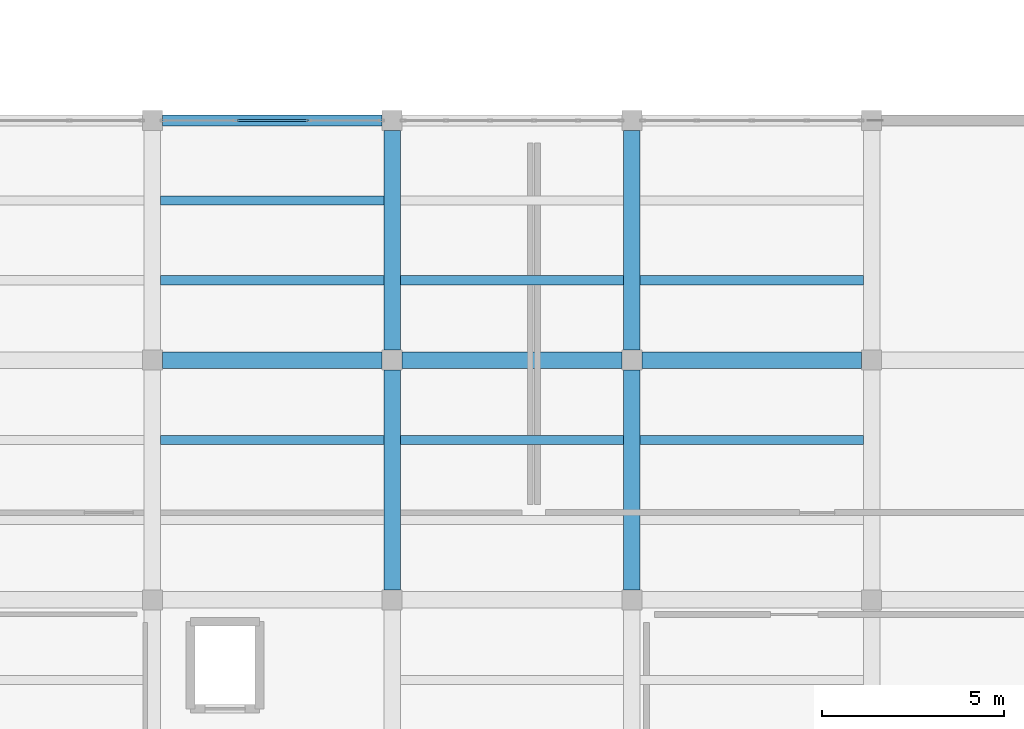
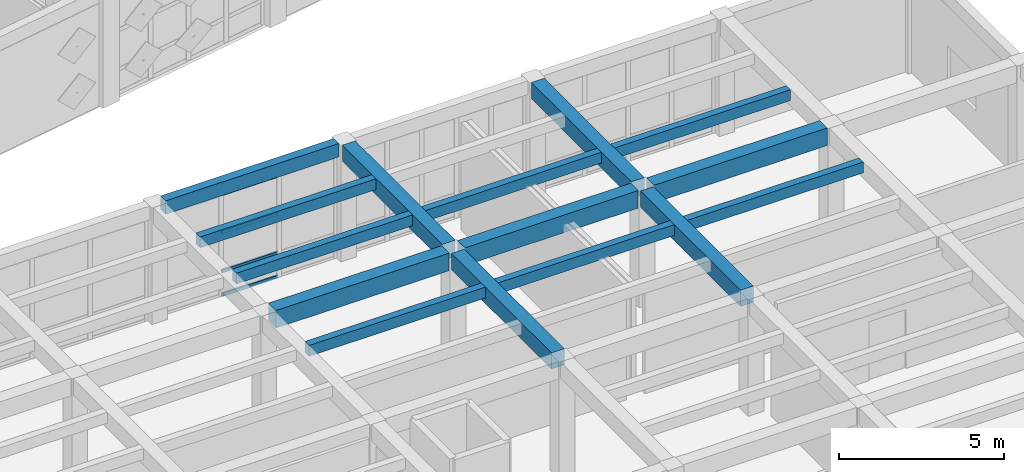
# One storey, part 6 of 48: 15 beams, 4 members, 1 element without a shape of its own.
"""IFC4 building model written with IfcOpenShell, lengths in metres."""

from ifc_helpers import new_model, si_unit, direction, frame, origin, origin_2d, place, context, subcontext, project, spatial, rectangle, hollow_rectangle, extrude, material, layer, layer_set, material_profile, profile_set, type_object, element, aggregate, save


model = new_model("IFC4")

# Units and contexts
model_context = context("Model", 3, precision=1e-05, world=origin(), true_north=direction((0.0, 1.0)))
body_context = subcontext(model_context, "Body", "Model", "MODEL_VIEW")
ifc_project = project(units=[si_unit("LENGTHUNIT", "METRE"), si_unit("AREAUNIT", "SQUARE_METRE"), si_unit("VOLUMEUNIT", "CUBIC_METRE"), si_unit("PLANEANGLEUNIT", "RADIAN"), si_unit("MASSUNIT", "GRAM", prefix="KILO")], contexts=[model_context])

# Site, building, storey
site_placement = place(None, origin())
site = spatial("IfcSite", under=ifc_project, at=site_placement, CompositionType="ELEMENT")
building_placement = place(site_placement, origin())
building = spatial("IfcBuilding", under=site, at=building_placement, Name="Kharisveld Research Institute", CompositionType="ELEMENT")
storey_placement = place(building_placement, frame((0.0, 0.0, 14.10009765625)))
storey = spatial("IfcBuildingStorey", under=building, at=storey_placement, Name="L03", CompositionType="ELEMENT", Elevation=14.10009765625)

# Beams
ifc_material_1 = material(Name="Concrete C40/50", Category="concrete")
ifc_material_profile_1 = material_profile(ifc_material_1, rectangle(XDim=0.449951171875, YDim=0.60009765625, at=origin_2d()))
ifc_profile_set_1 = profile_set([ifc_material_profile_1], Name="Concrete C40/50")
beam_type_1 = type_object("IfcBeamType", Name="BM_RC_450x600", PredefinedType="BEAM", material=ifc_profile_set_1)
for number, where, z_axis, x_axis, name in (
    (1, (20.39990234375, 13.675048828125, 4.0), (0.0, 1.0, 0.0), (-1.0, 0.0, 0.0), "BM:V3:L03:V3_2"),
    (2, (20.39990234375, 20.27490234375, 4.0), (0.0, 1.0, 0.0), (-1.0, 0.0, 0.0), "BM:V3:L03:V3_3"),
    (3, (27.0, 13.675048828125, 4.0), (0.0, 1.0, 0.0), (-1.0, 0.0, 0.0), "BM:V3:L03:V4_2"),
    (4, (27.0, 20.27490234375, 4.0), (0.0, 1.0, 0.0), (-1.0, 0.0, 0.0), "BM:V3:L03:V4_3"),
):
    element("IfcBeam", number, at=place(storey_placement, frame(where, z_axis=z_axis, x_axis=x_axis)), inside=storey, type_object=beam_type_1, Name=name, PredefinedType="BEAM", context=body_context, shape_type="SweptSolid", body=[
        extrude(rectangle(XDim=0.449951171875, YDim=0.60009765625, at=origin_2d()), origin(), (0.0, 0.0, 1.0), 6.050048828125),
    ])
ifc_material_2 = material(Name="Concrete C40/50", Category="concrete")
ifc_material_profile_2 = material_profile(ifc_material_2, rectangle(XDim=0.449951171875, YDim=0.64990234375, at=origin_2d()))
ifc_profile_set_2 = profile_set([ifc_material_profile_2], Name="Concrete C40/50")
beam_type_2 = type_object("IfcBeamType", Name="BM_RC_450x650", PredefinedType="BEAM", material=ifc_profile_set_2)
for number, where, z_axis, x_axis, name in (
    (5, (14.074951171875, 20.0, 3.974853515625), (1.0, 0.0, 0.0), (0.0, 1.0, 0.0), "BM:V3:L03:U2_3"),
    (6, (20.675048828125, 20.0, 3.974853515625), (1.0, 0.0, 0.0), (0.0, 1.0, 0.0), "BM:V3:L03:U3_3"),
    (7, (27.27490234375, 20.0, 3.974853515625), (1.0, 0.0, 0.0), (0.0, 1.0, 0.0), "BM:V3:L03:U4_3"),
):
    element("IfcBeam", number, at=place(storey_placement, frame(where, z_axis=z_axis, x_axis=x_axis)), inside=storey, type_object=beam_type_2, Name=name, PredefinedType="BEAM", context=body_context, shape_type="SweptSolid", body=[
        extrude(rectangle(XDim=0.449951171875, YDim=0.64990234375, at=origin_2d()), origin(), (0.0, 0.0, 1.0), 6.050048828125),
    ])

# Curtain wall, members
ifc_material_3 = material(Name="Thermally Broken Aluminium Curtain Wall", Category="aluminium")
ifc_layer = layer(ifc_material_3, 0.159912109375)
ifc_layer_set = layer_set([ifc_layer], Name="CW_SYS_06")
curtain_wall_type = type_object("IfcCurtainWallType", Name="CW_SYS_06", PredefinedType="NOTDEFINED", material=ifc_layer_set)
curtain_wall_placement = place(storey_placement, origin())
curtain_wall = element("IfcCurtainWall", 8, at=curtain_wall_placement, inside=storey, type_object=curtain_wall_type, Name="CW:V3:L03:N2", PredefinedType="NOTDEFINED")
ifc_material_4 = material(Name="Anodised Aluminium AW-6063-T6", Category="aluminium")
ifc_material_profile_3 = material_profile(ifc_material_4, hollow_rectangle(XDim=0.06005859375, YDim=0.1201171875, WallThickness=0.00390625, at=origin_2d()))
ifc_profile_set_3 = profile_set([ifc_material_profile_3], Name="Anodised Aluminium AW-6063-T6")
member_type = type_object("IfcMemberType", Name="CW_TRN_120", PredefinedType="USERDEFINED", material=ifc_profile_set_3)
member_1_placement = place(storey_placement, frame((16.12255859375, 26.60009765625, 0.02978515625), z_axis=(1.0, 0.0, 0.0), x_axis=(0.0, 1.0, 0.0)))
member_1 = element("IfcMember", 9, at=member_1_placement, type_object=member_type, Name="CW-06 transom 2.1", ObjectType="TRANSOM", PredefinedType="USERDEFINED", context=body_context, shape_type="SweptSolid", body=[
    extrude(hollow_rectangle(XDim=0.06005859375, YDim=0.1201171875, WallThickness=0.00390625, at=origin_2d()), origin(), (0.0, 0.0, 1.0), 1.954833984375),
])
member_2_placement = place(storey_placement, frame((16.12255859375, 26.60009765625, 0.89990234375), z_axis=(1.0, 0.0, 0.0), x_axis=(0.0, 1.0, 0.0)))
member_2 = element("IfcMember", 10, at=member_2_placement, type_object=member_type, Name="CW-06 transom 2.2", ObjectType="TRANSOM", PredefinedType="USERDEFINED", context=body_context, shape_type="SweptSolid", body=[
    extrude(hollow_rectangle(XDim=0.06005859375, YDim=0.1201171875, WallThickness=0.00390625, at=origin_2d()), origin(), (0.0, 0.0, 1.0), 1.954833984375),
])
member_3_placement = place(storey_placement, frame((16.12255859375, 26.60009765625, 2.349853515625), z_axis=(1.0, 0.0, 0.0), x_axis=(0.0, 1.0, 0.0)))
member_3 = element("IfcMember", 11, at=member_3_placement, type_object=member_type, Name="CW-06 transom 2.3", ObjectType="TRANSOM", PredefinedType="USERDEFINED", context=body_context, shape_type="SweptSolid", body=[
    extrude(hollow_rectangle(XDim=0.06005859375, YDim=0.1201171875, WallThickness=0.00390625, at=origin_2d()), origin(), (0.0, 0.0, 1.0), 1.954833984375),
])
member_4_placement = place(storey_placement, frame((16.12255859375, 26.60009765625, 3.75), z_axis=(1.0, 0.0, 0.0), x_axis=(0.0, 1.0, 0.0)))
member_4 = element("IfcMember", 12, at=member_4_placement, type_object=member_type, Name="CW-06 transom 2.4", ObjectType="TRANSOM", PredefinedType="USERDEFINED", context=body_context, shape_type="SweptSolid", body=[
    extrude(hollow_rectangle(XDim=0.06005859375, YDim=0.1201171875, WallThickness=0.00390625, at=origin_2d()), origin(), (0.0, 0.0, 1.0), 1.954833984375),
])
aggregate(curtain_wall, [member_1, member_2, member_3, member_4])

# Beams
ifc_material_5 = material(Name="Concrete C40/50", Category="concrete")
ifc_material_profile_4 = material_profile(ifc_material_5, rectangle(XDim=0.300048828125, YDim=0.5, at=origin_2d()))
ifc_profile_set_4 = profile_set([ifc_material_profile_4], Name="Concrete C40/50")
beam_type_3 = type_object("IfcBeamType", Name="SP_RC_300x500", PredefinedType="SPANDREL", material=ifc_profile_set_4)
beam_placement = place(storey_placement, frame((14.074951171875, 26.60009765625, 4.0498046875), z_axis=(1.0, 0.0, 0.0), x_axis=(0.0, 1.0, 0.0)))
element("IfcBeam", 13, at=beam_placement, inside=storey, type_object=beam_type_3, Name="BM:V3:L03:U2_4", PredefinedType="SPANDREL", context=body_context, shape_type="SweptSolid", body=[
    extrude(rectangle(XDim=0.300048828125, YDim=0.5, at=origin_2d()), origin(), (0.0, 0.0, 1.0), 6.050048828125),
])
ifc_material_6 = material(Name="Concrete C40/50", Category="concrete")
ifc_material_profile_5 = material_profile(ifc_material_6, rectangle(XDim=0.25, YDim=0.39990234375, at=origin_2d()))
ifc_profile_set_5 = profile_set([ifc_material_profile_5], Name="Concrete C40/50")
beam_type_4 = type_object("IfcBeamType", Name="WB_RC_250x400", PredefinedType="JOIST", material=ifc_profile_set_5)
for number, where, z_axis, x_axis, name in (
    (14, (14.02490234375, 17.800048828125, 4.099853515625), (1.0, 0.0, 0.0), (0.0, 1.0, 0.0), "BM:V3:L03:J_2_2_R2"),
    (15, (14.02490234375, 22.199951171875, 4.099853515625), (1.0, 0.0, 0.0), (0.0, 1.0, 0.0), "BM:V3:L03:J_2_3_R1"),
    (16, (14.02490234375, 24.39990234375, 4.099853515625), (1.0, 0.0, 0.0), (0.0, 1.0, 0.0), "BM:V3:L03:J_2_3_R2"),
):
    element("IfcBeam", number, at=place(storey_placement, frame(where, z_axis=z_axis, x_axis=x_axis)), inside=storey, type_object=beam_type_4, Name=name, PredefinedType="JOIST", context=body_context, shape_type="SweptSolid", body=[
        extrude(rectangle(XDim=0.25, YDim=0.39990234375, at=origin_2d()), origin(), (0.0, 0.0, 1.0), 6.150146484375),
    ])
for number, where, z_axis, x_axis, name in (
    (17, (20.625, 17.800048828125, 4.099853515625), (1.0, 0.0, 0.0), (0.0, 1.0, 0.0), "BM:V3:L03:J_3_2_R2"),
    (18, (20.625, 22.199951171875, 4.099853515625), (1.0, 0.0, 0.0), (0.0, 1.0, 0.0), "BM:V3:L03:J_3_3_R1"),
    (19, (27.22509765625, 17.800048828125, 4.099853515625), (1.0, 0.0, 0.0), (0.0, 1.0, 0.0), "BM:V3:L03:J_4_2_R2"),
    (20, (27.22509765625, 22.199951171875, 4.099853515625), (1.0, 0.0, 0.0), (0.0, 1.0, 0.0), "BM:V3:L03:J_4_3_R1"),
):
    element("IfcBeam", number, at=place(storey_placement, frame(where, z_axis=z_axis, x_axis=x_axis)), inside=storey, type_object=beam_type_4, Name=name, PredefinedType="JOIST", context=body_context, shape_type="SweptSolid", body=[
        extrude(rectangle(XDim=0.25, YDim=0.39990234375, at=origin_2d()), origin(), (0.0, 0.0, 1.0), 6.14990234375),
    ])

save(model, "model.ifc")
